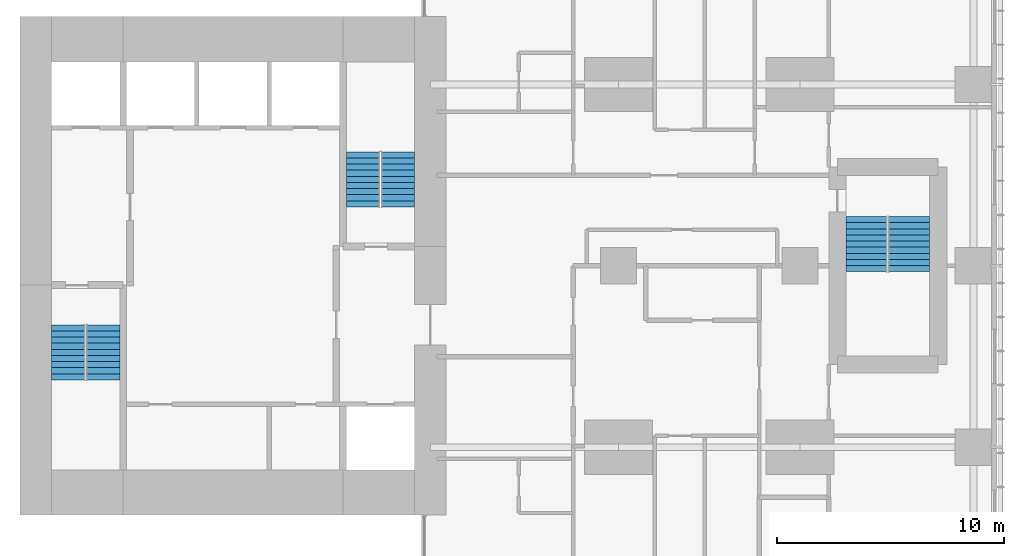
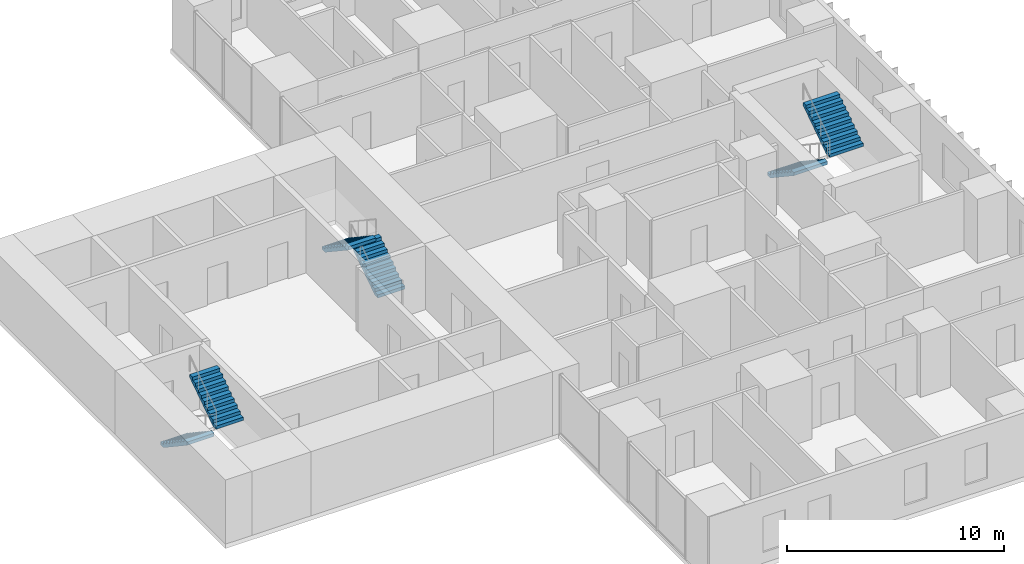
# One storey, part 11 of 12: 6 stair flights, 3 elements without a shape of their own.
"""IFC4 building model written with IfcOpenShell, lengths in metres."""

from ifc_helpers import new_model, si_unit, direction, frame, origin, place, context, subcontext, project, spatial, polyline, outline, extrude, material, type_object, element, aggregate, save


model = new_model("IFC4")

# Units and contexts
model_context = context("Model", 3, precision=1e-05, world=origin(), true_north=direction((0.0, 1.0)))
body_context = subcontext(model_context, "Body", "Model", "MODEL_VIEW")
ifc_project = project(units=[si_unit("LENGTHUNIT", "METRE"), si_unit("AREAUNIT", "SQUARE_METRE"), si_unit("VOLUMEUNIT", "CUBIC_METRE"), si_unit("PLANEANGLEUNIT", "RADIAN"), si_unit("MASSUNIT", "GRAM", prefix="KILO")], contexts=[model_context])

# Site, building, storey
site_placement = place(None, origin())
site = spatial("IfcSite", under=ifc_project, at=site_placement, CompositionType="ELEMENT")
building_placement = place(site_placement, origin())
building = spatial("IfcBuilding", under=site, at=building_placement, Name="Cleftline Residences", CompositionType="ELEMENT")
storey_placement = place(building_placement, frame((0.0, 0.0, 262.800048828125)))
storey = spatial("IfcBuildingStorey", under=building, at=storey_placement, Name="L69", CompositionType="ELEMENT", Elevation=262.800048828125)

# Stair, stair flights
ifc_material_1 = material(Name="Concrete B45, stone treads", Category="masonry")
stair_type_1 = type_object("IfcStairType", Name="STAIR A 1450 WIDE 180 RISER", PredefinedType="HALF_TURN_STAIR", material=ifc_material_1)
stair_1_placement = place(storey_placement, origin())
stair_1 = element("IfcStair", 1, at=stair_1_placement, inside=storey, type_object=stair_type_1, Name="Stair A L69", PredefinedType="HALF_TURN_STAIR")
ifc_material_2 = material(Name="Concrete B45", Category="concrete")
stair_flight_type_1 = type_object("IfcStairFlightType", Name="STAIR A FLIGHT 1450X180", PredefinedType="STRAIGHT", material=ifc_material_2)
stair_flight_1_placement = place(storey_placement, frame((25.72509765625, 21.39990234375, 0.0), z_axis=(0.0, 0.0, 1.0), x_axis=(0.0, -1.0, 0.0)))
stair_flight_1 = element("IfcStairFlight", 2, at=stair_flight_1_placement, type_object=stair_flight_type_1, Name="ST-A flight 1", NumberOfRisers=10, NumberOfTreads=9, PredefinedType="STRAIGHT", RiserHeight=0.18, TreadLength=0.27, context=body_context, shape_type="SweptSolid", body=[
    extrude(outline(polyline([(0.0, 0.0), (0.0, 0.013916015625), (0.0, 0.027587890625), (0.0, 0.04150390625), (0.0, 0.055419921875), (0.0, 0.0693359375), (0.0, 0.0830078125), (0.0, 0.096923828125), (0.0, 0.11083984375), (0.0, 0.12451171875), (0.0, 0.138427734375), (0.0, 0.15234375), (0.0, 0.166259765625), (0.0, 0.179931640625), (0.27001953125, 0.179931640625), (0.27001953125, 0.360107421875), (0.5400390625, 0.360107421875), (0.5400390625, 0.5400390625), (0.81005859375, 0.5400390625), (0.81005859375, 0.719970703125), (1.080078125, 0.719970703125), (1.080078125, 0.89990234375), (1.35009765625, 0.89990234375), (1.35009765625, 1.080078125), (1.6201171875, 1.080078125), (1.6201171875, 1.260009765625), (1.889892578125, 1.260009765625), (1.889892578125, 1.43994140625), (2.159912109375, 1.43994140625), (2.159912109375, 1.6201171875), (2.429931640625, 1.6201171875), (2.429931640625, 1.800048828125), (2.429931640625, 1.772216796875), (2.429931640625, 1.74462890625), (2.429931640625, 1.716796875), (2.429931640625, 1.689208984375), (2.429931640625, 1.661376953125), (2.429931640625, 1.6337890625), (2.429931640625, 1.60595703125), (2.429931640625, 1.578369140625), (2.429931640625, 1.550537109375), (2.429931640625, 1.52294921875), (2.429931640625, 1.495361328125), (2.429931640625, 1.467529296875), (2.429931640625, 1.43994140625), (0.270263671875, 0.0), (0.0, 0.0)])), frame((0.0, 0.72509765625, 0.0), z_axis=(0.0, -1.0, 0.0), x_axis=(1.0, 0.0, 0.0)), (0.0, 0.0, 1.0), 1.449951171875),
])
stair_flight_2_placement = place(storey_placement, frame((27.27490234375, 18.969970703125, 1.800048828125), z_axis=(0.0, 0.0, 1.0), x_axis=(0.0, 1.0, 0.0)))
stair_flight_2 = element("IfcStairFlight", 3, at=stair_flight_2_placement, type_object=stair_flight_type_1, Name="ST-A flight 2", NumberOfRisers=10, NumberOfTreads=9, PredefinedType="STRAIGHT", RiserHeight=0.18, TreadLength=0.27, context=body_context, shape_type="SweptSolid", body=[
    extrude(outline(polyline([(0.0, 0.0), (0.0, 0.013916015625), (0.0, 0.027587890625), (0.0, 0.04150390625), (0.0, 0.055419921875), (0.0, 0.0693359375), (0.0, 0.0830078125), (0.0, 0.096923828125), (0.0, 0.11083984375), (0.0, 0.12451171875), (0.0, 0.138427734375), (0.0, 0.15234375), (0.0, 0.166259765625), (0.0, 0.179931640625), (0.27001953125, 0.179931640625), (0.27001953125, 0.360107421875), (0.5400390625, 0.360107421875), (0.5400390625, 0.5400390625), (0.81005859375, 0.5400390625), (0.81005859375, 0.719970703125), (1.080078125, 0.719970703125), (1.080078125, 0.89990234375), (1.35009765625, 0.89990234375), (1.35009765625, 1.080078125), (1.6201171875, 1.080078125), (1.6201171875, 1.260009765625), (1.889892578125, 1.260009765625), (1.889892578125, 1.43994140625), (2.159912109375, 1.43994140625), (2.159912109375, 1.6201171875), (2.429931640625, 1.6201171875), (2.429931640625, 1.800048828125), (2.429931640625, 1.772216796875), (2.429931640625, 1.74462890625), (2.429931640625, 1.716796875), (2.429931640625, 1.689208984375), (2.429931640625, 1.661376953125), (2.429931640625, 1.6337890625), (2.429931640625, 1.60595703125), (2.429931640625, 1.578369140625), (2.429931640625, 1.550537109375), (2.429931640625, 1.52294921875), (2.429931640625, 1.495361328125), (2.429931640625, 1.467529296875), (2.429931640625, 1.43994140625), (0.270263671875, 0.0), (0.0, 0.0)])), frame((0.0, 0.72509765625, 0.0), z_axis=(0.0, -1.0, 0.0), x_axis=(1.0, 0.0, 0.0)), (0.0, 0.0, 1.0), 1.449951171875),
])
aggregate(stair_1, [stair_flight_1, stair_flight_2])

ifc_material_3 = material(Name="Concrete B45, stone treads", Category="masonry")
stair_type_2 = type_object("IfcStairType", Name="STAIR B 1450 WIDE 180 RISER", PredefinedType="HALF_TURN_STAIR", material=ifc_material_3)
stair_2_placement = place(storey_placement, origin())
stair_2 = element("IfcStair", 4, at=stair_2_placement, inside=storey, type_object=stair_type_2, Name="Stair B L69", PredefinedType="HALF_TURN_STAIR")
ifc_material_4 = material(Name="Concrete B45", Category="concrete")
stair_flight_type_2 = type_object("IfcStairFlightType", Name="STAIR B FLIGHT 1450X180", PredefinedType="STRAIGHT", material=ifc_material_4)
stair_flight_3_placement = place(storey_placement, frame((40.27490234375, 26.60009765625, 0.0), z_axis=(0.0, 0.0, 1.0), x_axis=(0.0, 1.0, 0.0)))
stair_flight_3 = element("IfcStairFlight", 5, at=stair_flight_3_placement, type_object=stair_flight_type_2, Name="ST-B flight 1", NumberOfRisers=10, NumberOfTreads=9, PredefinedType="STRAIGHT", RiserHeight=0.18, TreadLength=0.27, context=body_context, shape_type="SweptSolid", body=[
    extrude(outline(polyline([(0.0, 0.0), (0.0, 0.013916015625), (0.0, 0.027587890625), (0.0, 0.04150390625), (0.0, 0.055419921875), (0.0, 0.0693359375), (0.0, 0.0830078125), (0.0, 0.096923828125), (0.0, 0.11083984375), (0.0, 0.12451171875), (0.0, 0.138427734375), (0.0, 0.15234375), (0.0, 0.166259765625), (0.0, 0.179931640625), (0.27001953125, 0.179931640625), (0.27001953125, 0.360107421875), (0.5400390625, 0.360107421875), (0.5400390625, 0.5400390625), (0.81005859375, 0.5400390625), (0.81005859375, 0.719970703125), (1.080078125, 0.719970703125), (1.080078125, 0.89990234375), (1.35009765625, 0.89990234375), (1.35009765625, 1.080078125), (1.6201171875, 1.080078125), (1.6201171875, 1.260009765625), (1.889892578125, 1.260009765625), (1.889892578125, 1.43994140625), (2.159912109375, 1.43994140625), (2.159912109375, 1.6201171875), (2.429931640625, 1.6201171875), (2.429931640625, 1.800048828125), (2.429931640625, 1.772216796875), (2.429931640625, 1.74462890625), (2.429931640625, 1.716796875), (2.429931640625, 1.689208984375), (2.429931640625, 1.661376953125), (2.429931640625, 1.6337890625), (2.429931640625, 1.60595703125), (2.429931640625, 1.578369140625), (2.429931640625, 1.550537109375), (2.429931640625, 1.52294921875), (2.429931640625, 1.495361328125), (2.429931640625, 1.467529296875), (2.429931640625, 1.43994140625), (0.270263671875, 0.0), (0.0, 0.0)])), frame((0.0, 0.72509765625, 0.0), z_axis=(0.0, -1.0, 0.0), x_axis=(1.0, 0.0, 0.0)), (0.0, 0.0, 1.0), 1.449951171875),
])
stair_flight_4_placement = place(storey_placement, frame((38.72509765625, 29.030029296875, 1.800048828125), z_axis=(0.0, 0.0, 1.0), x_axis=(0.0, -1.0, 0.0)))
stair_flight_4 = element("IfcStairFlight", 6, at=stair_flight_4_placement, type_object=stair_flight_type_2, Name="ST-B flight 2", NumberOfRisers=10, NumberOfTreads=9, PredefinedType="STRAIGHT", RiserHeight=0.18, TreadLength=0.27, context=body_context, shape_type="SweptSolid", body=[
    extrude(outline(polyline([(0.0, 0.0), (0.0, 0.013916015625), (0.0, 0.027587890625), (0.0, 0.04150390625), (0.0, 0.055419921875), (0.0, 0.0693359375), (0.0, 0.0830078125), (0.0, 0.096923828125), (0.0, 0.11083984375), (0.0, 0.12451171875), (0.0, 0.138427734375), (0.0, 0.15234375), (0.0, 0.166259765625), (0.0, 0.179931640625), (0.27001953125, 0.179931640625), (0.27001953125, 0.360107421875), (0.5400390625, 0.360107421875), (0.5400390625, 0.5400390625), (0.81005859375, 0.5400390625), (0.81005859375, 0.719970703125), (1.080078125, 0.719970703125), (1.080078125, 0.89990234375), (1.35009765625, 0.89990234375), (1.35009765625, 1.080078125), (1.6201171875, 1.080078125), (1.6201171875, 1.260009765625), (1.889892578125, 1.260009765625), (1.889892578125, 1.43994140625), (2.159912109375, 1.43994140625), (2.159912109375, 1.6201171875), (2.429931640625, 1.6201171875), (2.429931640625, 1.800048828125), (2.429931640625, 1.772216796875), (2.429931640625, 1.74462890625), (2.429931640625, 1.716796875), (2.429931640625, 1.689208984375), (2.429931640625, 1.661376953125), (2.429931640625, 1.6337890625), (2.429931640625, 1.60595703125), (2.429931640625, 1.578369140625), (2.429931640625, 1.550537109375), (2.429931640625, 1.52294921875), (2.429931640625, 1.495361328125), (2.429931640625, 1.467529296875), (2.429931640625, 1.43994140625), (0.270263671875, 0.0), (0.0, 0.0)])), frame((0.0, 0.72509765625, 0.0), z_axis=(0.0, -1.0, 0.0), x_axis=(1.0, 0.0, 0.0)), (0.0, 0.0, 1.0), 1.449951171875),
])
aggregate(stair_2, [stair_flight_3, stair_flight_4])

ifc_material_5 = material(Name="Concrete B45, stone treads", Category="masonry")
stair_type_3 = type_object("IfcStairType", Name="STAIR E 1800 WIDE 180 RISER", PredefinedType="HALF_TURN_STAIR", material=ifc_material_5)
stair_3_placement = place(storey_placement, origin())
stair_3 = element("IfcStair", 7, at=stair_3_placement, inside=storey, type_object=stair_type_3, Name="Stair E L69", PredefinedType="HALF_TURN_STAIR")
ifc_material_6 = material(Name="Concrete B45", Category="concrete")
stair_flight_type_3 = type_object("IfcStairFlightType", Name="STAIR E FLIGHT 1800X180", PredefinedType="STRAIGHT", material=ifc_material_6)
stair_flight_5_placement = place(storey_placement, frame((60.925048828125, 26.175048828125, 0.0), z_axis=(0.0, 0.0, 1.0), x_axis=(0.0, -1.0, 0.0)))
stair_flight_5 = element("IfcStairFlight", 8, at=stair_flight_5_placement, type_object=stair_flight_type_3, Name="ST-E flight 1", NumberOfRisers=10, NumberOfTreads=9, PredefinedType="STRAIGHT", RiserHeight=0.18, TreadLength=0.27, context=body_context, shape_type="SweptSolid", body=[
    extrude(outline(polyline([(0.0, 0.0), (0.0, 0.013916015625), (0.0, 0.027587890625), (0.0, 0.04150390625), (0.0, 0.055419921875), (0.0, 0.0693359375), (0.0, 0.0830078125), (0.0, 0.096923828125), (0.0, 0.11083984375), (0.0, 0.12451171875), (0.0, 0.138427734375), (0.0, 0.15234375), (0.0, 0.166259765625), (0.0, 0.179931640625), (0.27001953125, 0.179931640625), (0.27001953125, 0.360107421875), (0.5400390625, 0.360107421875), (0.5400390625, 0.5400390625), (0.81005859375, 0.5400390625), (0.81005859375, 0.719970703125), (1.080078125, 0.719970703125), (1.080078125, 0.89990234375), (1.35009765625, 0.89990234375), (1.35009765625, 1.080078125), (1.6201171875, 1.080078125), (1.6201171875, 1.260009765625), (1.889892578125, 1.260009765625), (1.889892578125, 1.43994140625), (2.159912109375, 1.43994140625), (2.159912109375, 1.6201171875), (2.429931640625, 1.6201171875), (2.429931640625, 1.800048828125), (2.429931640625, 1.772216796875), (2.429931640625, 1.74462890625), (2.429931640625, 1.716796875), (2.429931640625, 1.689208984375), (2.429931640625, 1.661376953125), (2.429931640625, 1.6337890625), (2.429931640625, 1.60595703125), (2.429931640625, 1.578369140625), (2.429931640625, 1.550537109375), (2.429931640625, 1.52294921875), (2.429931640625, 1.495361328125), (2.429931640625, 1.467529296875), (2.429931640625, 1.43994140625), (0.270263671875, 0.0), (0.0, 0.0)])), frame((0.0, 0.89990234375, 0.0), z_axis=(0.0, -1.0, 0.0), x_axis=(1.0, 0.0, 0.0)), (0.0, 0.0, 1.0), 1.800048828125),
])
stair_flight_6_placement = place(storey_placement, frame((62.824951171875, 23.7451171875, 1.800048828125), z_axis=(0.0, 0.0, 1.0), x_axis=(0.0, 1.0, 0.0)))
stair_flight_6 = element("IfcStairFlight", 9, at=stair_flight_6_placement, type_object=stair_flight_type_3, Name="ST-E flight 2", NumberOfRisers=10, NumberOfTreads=9, PredefinedType="STRAIGHT", RiserHeight=0.18, TreadLength=0.27, context=body_context, shape_type="SweptSolid", body=[
    extrude(outline(polyline([(0.0, 0.0), (0.0, 0.013916015625), (0.0, 0.027587890625), (0.0, 0.04150390625), (0.0, 0.055419921875), (0.0, 0.0693359375), (0.0, 0.0830078125), (0.0, 0.096923828125), (0.0, 0.11083984375), (0.0, 0.12451171875), (0.0, 0.138427734375), (0.0, 0.15234375), (0.0, 0.166259765625), (0.0, 0.179931640625), (0.27001953125, 0.179931640625), (0.27001953125, 0.360107421875), (0.5400390625, 0.360107421875), (0.5400390625, 0.5400390625), (0.81005859375, 0.5400390625), (0.81005859375, 0.719970703125), (1.080078125, 0.719970703125), (1.080078125, 0.89990234375), (1.35009765625, 0.89990234375), (1.35009765625, 1.080078125), (1.6201171875, 1.080078125), (1.6201171875, 1.260009765625), (1.889892578125, 1.260009765625), (1.889892578125, 1.43994140625), (2.159912109375, 1.43994140625), (2.159912109375, 1.6201171875), (2.429931640625, 1.6201171875), (2.429931640625, 1.800048828125), (2.429931640625, 1.772216796875), (2.429931640625, 1.74462890625), (2.429931640625, 1.716796875), (2.429931640625, 1.689208984375), (2.429931640625, 1.661376953125), (2.429931640625, 1.6337890625), (2.429931640625, 1.60595703125), (2.429931640625, 1.578369140625), (2.429931640625, 1.550537109375), (2.429931640625, 1.52294921875), (2.429931640625, 1.495361328125), (2.429931640625, 1.467529296875), (2.429931640625, 1.43994140625), (0.270263671875, 0.0), (0.0, 0.0)])), frame((0.0, 0.89990234375, 0.0), z_axis=(0.0, -1.0, 0.0), x_axis=(1.0, 0.0, 0.0)), (0.0, 0.0, 1.0), 1.800048828125),
])
aggregate(stair_3, [stair_flight_5, stair_flight_6])

save(model, "model.ifc")
